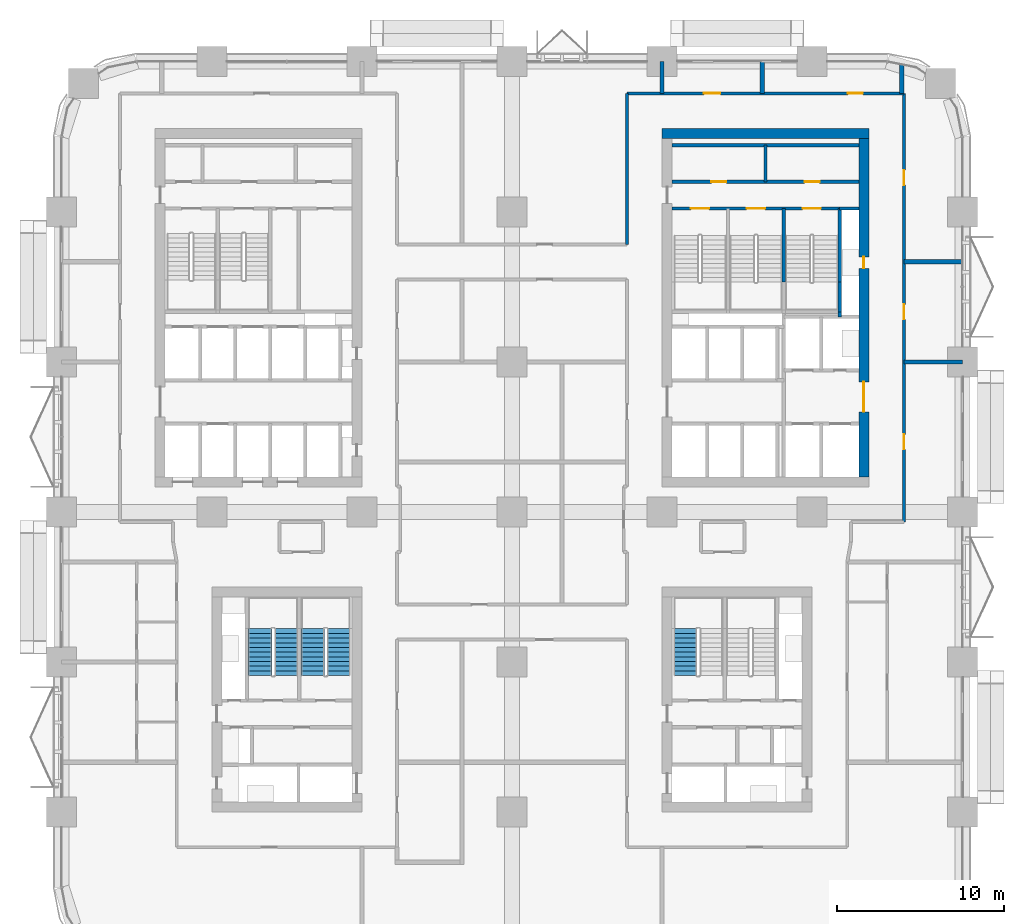
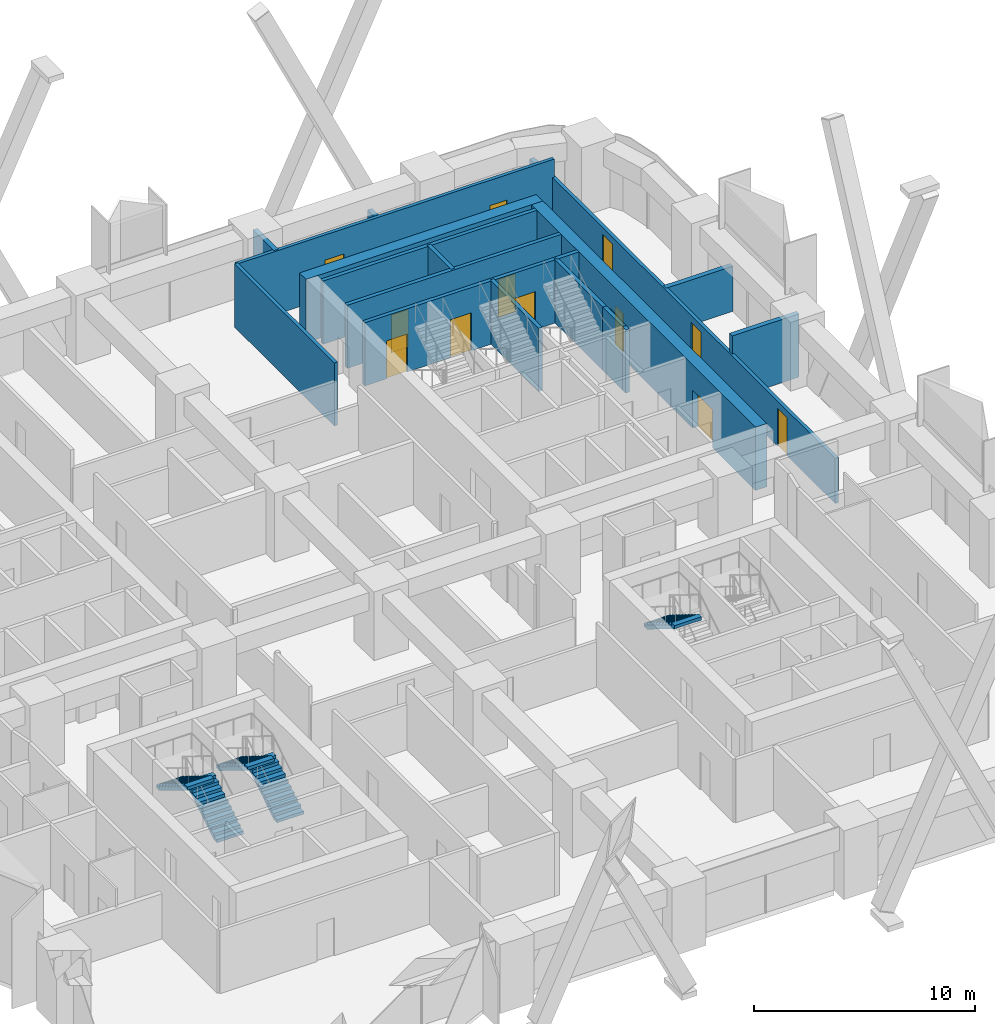
# One storey, part 19 of 23: 19 walls, 12 doors, 5 stair flights, 12 openings, 3 elements without a shape of their own.
"""IFC4 building model written with IfcOpenShell, lengths in metres."""

from ifc_helpers import new_model, si_unit, direction, frame, frame_2d, origin, place, context, subcontext, project, spatial, polyline, rectangle, outline, extrude, material, layer, layer_set, type_object, element, fill, aggregate, save


model = new_model("IFC4")

# Units and contexts
model_context = context("Model", 3, precision=1e-05, world=origin(), true_north=direction((0.0, 1.0)))
body_context = subcontext(model_context, "Body", "Model", "MODEL_VIEW")
ifc_project = project(units=[si_unit("LENGTHUNIT", "METRE"), si_unit("AREAUNIT", "SQUARE_METRE"), si_unit("VOLUMEUNIT", "CUBIC_METRE"), si_unit("PLANEANGLEUNIT", "RADIAN"), si_unit("MASSUNIT", "GRAM", prefix="KILO")], contexts=[model_context])

# Site, building, storey
site_placement = place(None, origin())
site = spatial("IfcSite", under=ifc_project, at=site_placement, CompositionType="ELEMENT")
building_placement = place(site_placement, origin())
building = spatial("IfcBuilding", under=site, at=building_placement, Name="Tessera Arch", CompositionType="ELEMENT")
storey_placement = place(building_placement, frame((0.0, 0.0, 46.199951171875)))
storey = spatial("IfcBuildingStorey", under=building, at=storey_placement, Name="L09", CompositionType="ELEMENT", Elevation=46.199951171875)

# Wall
ifc_material_1 = material(Name="Gypsum board on steel stud", Category="steel")
ifc_layer_1 = layer(ifc_material_1, 0.125)
ifc_layer_set_1 = layer_set([ifc_layer_1], Name="Core partition 125 EI 60")
wall_type_1 = type_object("IfcWallType", Name="Core partition 125 EI 60", PredefinedType="PARTITIONING", material=ifc_layer_set_1)
wall_1_placement = place(storey_placement, frame((42.199951171875, 46.800048828125, 0.0), z_axis=(0.0, 0.0, 1.0), x_axis=(0.0, 1.0, 0.0)))
element("IfcWall", 1, at=wall_1_placement, inside=storey, type_object=wall_type_1, Name="L09 C1 partition wall 7", PredefinedType="PARTITIONING", context=body_context, shape_type="SweptSolid", body=[
    extrude(rectangle(XDim=2.199951171875, YDim=0.199951171875, at=frame_2d((1.10009765625, 0.0))), origin(), (0.0, 0.0, 1.0), 3.5),
])

# Wall, openings, doors
wall_2_placement = place(storey_placement, frame((36.60009765625, 46.800048828125, 0.0), z_axis=(0.0, 0.0, 1.0), x_axis=(1.0, 0.0, 0.0)))
wall_2 = element("IfcWall", 2, at=wall_2_placement, inside=storey, type_object=wall_type_1, Name="L09 C1 partition wall 31", PredefinedType="PARTITIONING", context=body_context, shape_type="SweptSolid", body=[
    extrude(rectangle(XDim=11.199951171875, YDim=0.199951171875, at=frame_2d((5.60009765625, 0.0))), origin(), (0.0, 0.0, 1.0), 3.5),
])
opening_1_placement = place(wall_2_placement, frame((2.35009765625, 0.0, 0.0)))
opening_1 = element("IfcOpeningElement", 3, at=opening_1_placement, cuts=wall_2, Name="Opening L09-C12", PredefinedType="OPENING", context=body_context, shape_type="SweptSolid", body=[
    extrude(rectangle(XDim=0.89990234375, YDim=2.10009765625, at=frame_2d((0.449951171875, 1.050048828125))), frame((0.0, 0.10986328125, 0.0), z_axis=(0.0, -1.0, 0.0), x_axis=(1.0, 0.0, 0.0)), (0.0, 0.0, 1.0), 0.219970703125),
])
opening_2_placement = place(wall_2_placement, frame((7.949951171875, 0.0, 0.0)))
opening_2 = element("IfcOpeningElement", 4, at=opening_2_placement, cuts=wall_2, Name="Opening L09-C13", PredefinedType="OPENING", context=body_context, shape_type="SweptSolid", body=[
    extrude(rectangle(XDim=0.89990234375, YDim=2.10009765625, at=frame_2d((0.449951171875, 1.050048828125))), frame((0.0, 0.10986328125, 0.0), z_axis=(0.0, -1.0, 0.0), x_axis=(1.0, 0.0, 0.0)), (0.0, 0.0, 1.0), 0.219970703125),
])
ifc_material_2 = material(Name="Steel door leaf", Category="steel")
door_type_1 = type_object("IfcDoorType", Name="Store door FD30S 900 x 2100", OperationType="SINGLE_SWING_LEFT", PredefinedType="DOOR", material=ifc_material_2)
door_1_placement = place(opening_1_placement, origin())
door_1 = element("IfcDoor", 5, at=door_1_placement, inside=storey, type_object=door_type_1, Name="L09 C1 door 12 C12 type D09", OperationType="SINGLE_SWING_LEFT", OverallHeight=2.10009765625, OverallWidth=0.89990234375, PredefinedType="DOOR", context=body_context, shape_type="SweptSolid", body=[
    extrude(rectangle(XDim=0.89990234375, YDim=2.10009765625, at=frame_2d((0.449951171875, 1.050048828125))), frame((0.0, 0.02490234375, 0.0), z_axis=(0.0, -1.0, 0.0), x_axis=(1.0, 0.0, 0.0)), (0.0, 0.0, 1.0), 0.050048828125),
])
fill(opening_1, door_1)
door_2_placement = place(opening_2_placement, origin())
door_2 = element("IfcDoor", 6, at=door_2_placement, inside=storey, type_object=door_type_1, Name="L09 C1 door 13 C13 type D09", OperationType="SINGLE_SWING_RIGHT", OverallHeight=2.10009765625, OverallWidth=0.89990234375, PredefinedType="DOOR", context=body_context, shape_type="SweptSolid", body=[
    extrude(rectangle(XDim=0.89990234375, YDim=2.10009765625, at=frame_2d((0.449951171875, 1.050048828125))), frame((0.0, 0.02490234375, 0.0), z_axis=(0.0, -1.0, 0.0), x_axis=(1.0, 0.0, 0.0)), (0.0, 0.0, 1.0), 0.050048828125),
])
fill(opening_2, door_2)

# Walls
wall_3_placement = place(storey_placement, frame((36.60009765625, 49.0, 0.0), z_axis=(0.0, 0.0, 1.0), x_axis=(1.0, 0.0, 0.0)))
element("IfcWall", 7, at=wall_3_placement, inside=storey, type_object=wall_type_1, Name="L09 C1 partition wall 32", PredefinedType="PARTITIONING", context=body_context, shape_type="SweptSolid", body=[
    extrude(rectangle(XDim=11.199951171875, YDim=0.199951171875, at=frame_2d((5.60009765625, 0.0))), origin(), (0.0, 0.0, 1.0), 3.5),
])
ifc_material_3 = material(Name="Concrete C70/85", Category="concrete")
ifc_layer_2 = layer(ifc_material_3, 0.60009765625)
ifc_layer_set_2 = layer_set([ifc_layer_2], Name="Core shell wall 600 C70-85")
wall_type_2 = type_object("IfcWallType", Name="Core shell wall 600 C70-85", PredefinedType="SHEAR", material=ifc_layer_set_2)
wall_4_placement = place(storey_placement, frame((36.0, 49.699951171875, 0.0), z_axis=(0.0, 0.0, 1.0), x_axis=(1.0, 0.0, 0.0)))
element("IfcWall", 8, at=wall_4_placement, inside=storey, type_object=wall_type_2, Name="L09 C1 core wall N", PredefinedType="SHEAR", context=body_context, shape_type="SweptSolid", body=[
    extrude(rectangle(XDim=12.39990234375, YDim=0.60009765625, at=frame_2d((6.199951171875, 0.0))), origin(), (0.0, 0.0, 1.0), 3.5),
])

# Wall, openings, doors
wall_5_placement = place(storey_placement, frame((48.10009765625, 29.10009765625, 0.0), z_axis=(0.0, 0.0, 1.0), x_axis=(0.0, 1.0, 0.0)))
wall_5 = element("IfcWall", 9, at=wall_5_placement, inside=storey, type_object=wall_type_2, Name="L09 C1 core wall E", PredefinedType="SHEAR", context=body_context, shape_type="SweptSolid", body=[
    extrude(rectangle(XDim=20.2998046875, YDim=0.60009765625, at=frame_2d((10.14990234375, 0.0))), origin(), (0.0, 0.0, 1.0), 3.5),
])
opening_3_placement = place(wall_5_placement, frame((12.5, 0.0, 0.0)))
opening_3 = element("IfcOpeningElement", 10, at=opening_3_placement, cuts=wall_5, Name="Opening L09-C08", PredefinedType="OPENING", context=body_context, shape_type="SweptSolid", body=[
    extrude(rectangle(XDim=0.699951171875, YDim=2.10009765625, at=frame_2d((0.35009765625, 1.050048828125))), frame((0.0, 0.31005859375, 0.0), z_axis=(0.0, -1.0, 0.0), x_axis=(1.0, 0.0, 0.0)), (0.0, 0.0, 1.0), 0.6201171875),
])
opening_4_placement = place(wall_5_placement, frame((3.89990234375, 0.0, 0.0)))
opening_4 = element("IfcOpeningElement", 11, at=opening_4_placement, cuts=wall_5, Name="Opening L09-C09", PredefinedType="OPENING", context=body_context, shape_type="SweptSolid", body=[
    extrude(rectangle(XDim=1.800048828125, YDim=2.10009765625, at=frame_2d((0.89990234375, 1.050048828125))), frame((0.0, 0.31005859375, 0.0), z_axis=(0.0, -1.0, 0.0), x_axis=(1.0, 0.0, 0.0)), (0.0, 0.0, 1.0), 0.6201171875),
])
ifc_material_4 = material(Name="Glazed steel door leaf", Category="steel")
door_type_2 = type_object("IfcDoorType", Name="Lobby double door FD60 1800 x 2100", OperationType="DOUBLE_DOOR_SINGLE_SWING", PredefinedType="DOOR", material=ifc_material_4)
door_3_placement = place(opening_4_placement, origin())
door_3 = element("IfcDoor", 12, at=door_3_placement, inside=storey, type_object=door_type_2, Name="L09 C1 door 9 C09 type D19", OperationType="DOUBLE_DOOR_SINGLE_SWING", OverallHeight=2.10009765625, OverallWidth=1.800048828125, PredefinedType="DOOR", context=body_context, shape_type="SweptSolid", body=[
    extrude(rectangle(XDim=1.800048828125, YDim=2.10009765625, at=frame_2d((0.89990234375, 1.050048828125))), frame((0.0, 0.02490234375, 0.0), z_axis=(0.0, -1.0, 0.0), x_axis=(1.0, 0.0, 0.0)), (0.0, 0.0, 1.0), 0.050048828125),
])
fill(opening_4, door_3)
ifc_material_5 = material(Name="Steel door leaf", Category="steel")
door_type_3 = type_object("IfcDoorType", Name="Service shaft door FD60 700 x 2100", OperationType="SINGLE_SWING_LEFT", PredefinedType="DOOR", material=ifc_material_5)
door_4_placement = place(opening_3_placement, origin())
door_4 = element("IfcDoor", 13, at=door_4_placement, inside=storey, type_object=door_type_3, Name="L09 C1 door 8 C08 type D07", OperationType="SINGLE_SWING_RIGHT", OverallHeight=2.10009765625, OverallWidth=0.699951171875, PredefinedType="DOOR", context=body_context, shape_type="SweptSolid", body=[
    extrude(rectangle(XDim=0.699951171875, YDim=2.10009765625, at=frame_2d((0.35009765625, 1.050048828125))), frame((0.0, 0.02490234375, 0.0), z_axis=(0.0, -1.0, 0.0), x_axis=(1.0, 0.0, 0.0)), (0.0, 0.0, 1.0), 0.050048828125),
])
fill(opening_3, door_4)

ifc_material_6 = material(Name="Gypsum board on deep steel stud with mineral wool", Category="steel")
ifc_layer_3 = layer(ifc_material_6, 0.175048828125)
ifc_layer_set_3 = layer_set([ifc_layer_3], Name="Corridor wall 175 EI 60")
wall_type_3 = type_object("IfcWallType", Name="Corridor wall 175 EI 60", PredefinedType="PARTITIONING", material=ifc_layer_set_3)
wall_6_placement = place(storey_placement, frame((33.89990234375, 52.10009765625, 0.0), z_axis=(0.0, 0.0, 1.0), x_axis=(1.0, 0.0, 0.0)))
wall_6 = element("IfcWall", 14, at=wall_6_placement, inside=storey, type_object=wall_type_3, Name="L09 partition 18", PredefinedType="PARTITIONING", context=body_context, shape_type="SweptSolid", body=[
    extrude(rectangle(XDim=16.60009765625, YDim=0.175048828125, at=frame_2d((8.300048828125, 0.0))), origin(), (0.0, 0.0, 1.0), 3.5),
])
opening_5_placement = place(wall_6_placement, frame((4.60009765625, 0.0, 0.0)))
opening_5 = element("IfcOpeningElement", 15, at=opening_5_placement, cuts=wall_6, Name="Opening L09-D033", PredefinedType="OPENING", context=body_context, shape_type="SweptSolid", body=[
    extrude(rectangle(XDim=1.0, YDim=2.10009765625, at=frame_2d((0.5, 1.050048828125))), frame((0.0, 0.097412109375, 0.0), z_axis=(0.0, -1.0, 0.0), x_axis=(1.0, 0.0, 0.0)), (0.0, 0.0, 1.0), 0.195068359375),
])
opening_6_placement = place(wall_6_placement, frame((13.231689453125, 0.0, 0.0)))
opening_6 = element("IfcOpeningElement", 16, at=opening_6_placement, cuts=wall_6, Name="Opening L09-D034", PredefinedType="OPENING", context=body_context, shape_type="SweptSolid", body=[
    extrude(rectangle(XDim=0.89990234375, YDim=2.10009765625, at=frame_2d((0.449951171875, 1.050048828125))), frame((0.0, 0.097412109375, 0.0), z_axis=(0.0, -1.0, 0.0), x_axis=(1.0, 0.0, 0.0)), (0.0, 0.0, 1.0), 0.195068359375),
])
ifc_material_7 = material(Name="Fire-rated door leaf")
door_type_4 = type_object("IfcDoorType", Name="Entrance door FD30S 1000 x 2100", OperationType="SINGLE_SWING_LEFT", PredefinedType="DOOR", material=ifc_material_7)
door_5_placement = place(opening_5_placement, origin())
door_5 = element("IfcDoor", 17, at=door_5_placement, inside=storey, type_object=door_type_4, Name="L09 door D033 type D03", OperationType="SINGLE_SWING_LEFT", OverallHeight=2.10009765625, OverallWidth=1.0, PredefinedType="DOOR", context=body_context, shape_type="SweptSolid", body=[
    extrude(rectangle(XDim=1.0, YDim=2.10009765625, at=frame_2d((0.5, 1.050048828125))), frame((0.0, 0.02490234375, 0.0), z_axis=(0.0, -1.0, 0.0), x_axis=(1.0, 0.0, 0.0)), (0.0, 0.0, 1.0), 0.050048828125),
])
fill(opening_5, door_5)
ifc_material_8 = material(Name="Timber door leaf", Category="wood")
door_type_5 = type_object("IfcDoorType", Name="Room door 900 x 2100", OperationType="SINGLE_SWING_LEFT", PredefinedType="DOOR", material=ifc_material_8)
door_6_placement = place(opening_6_placement, origin())
door_6 = element("IfcDoor", 18, at=door_6_placement, inside=storey, type_object=door_type_5, Name="L09 door D034 type D01", OperationType="SINGLE_SWING_RIGHT", OverallHeight=2.10009765625, OverallWidth=0.89990234375, PredefinedType="DOOR", context=body_context, shape_type="SweptSolid", body=[
    extrude(rectangle(XDim=0.89990234375, YDim=2.10009765625, at=frame_2d((0.449951171875, 1.050048828125))), frame((0.0, 0.02490234375, 0.0), z_axis=(0.0, -1.0, 0.0), x_axis=(1.0, 0.0, 0.0)), (0.0, 0.0, 1.0), 0.050048828125),
])
fill(opening_6, door_6)

# Wall
wall_7_placement = place(storey_placement, frame((33.89990234375, 43.050048828125, 0.0), z_axis=(0.0, 0.0, 1.0), x_axis=(0.0, 1.0, 0.0)))
element("IfcWall", 19, at=wall_7_placement, inside=storey, type_object=wall_type_3, Name="L09 partition 33", PredefinedType="PARTITIONING", context=body_context, shape_type="SweptSolid", body=[
    extrude(rectangle(XDim=9.050048828125, YDim=0.175048828125, at=frame_2d((4.52490234375, 0.0))), origin(), (0.0, 0.0, 1.0), 3.5),
])

# Wall, openings, doors
wall_8_placement = place(storey_placement, frame((50.5, 26.39990234375, 0.0), z_axis=(0.0, 0.0, 1.0), x_axis=(0.0, 1.0, 0.0)))
wall_8 = element("IfcWall", 20, at=wall_8_placement, inside=storey, type_object=wall_type_3, Name="L09 partition 38", PredefinedType="PARTITIONING", context=body_context, shape_type="SweptSolid", body=[
    extrude(rectangle(XDim=25.7001953125, YDim=0.175048828125, at=frame_2d((12.85009765625, 0.0))), origin(), (0.0, 0.0, 1.0), 2.5),
])
opening_7_placement = place(wall_8_placement, frame((4.35009765625, 0.0, 0.0)))
opening_7 = element("IfcOpeningElement", 21, at=opening_7_placement, cuts=wall_8, Name="Opening L09-D021", PredefinedType="OPENING", context=body_context, shape_type="SweptSolid", body=[
    extrude(rectangle(XDim=0.89990234375, YDim=2.10009765625, at=frame_2d((0.449951171875, 1.050048828125))), frame((0.0, 0.097412109375, 0.0), z_axis=(0.0, -1.0, 0.0), x_axis=(1.0, 0.0, 0.0)), (0.0, 0.0, 1.0), 0.195068359375),
])
opening_8_placement = place(wall_8_placement, frame((12.14990234375, 0.0, 0.0)))
opening_8 = element("IfcOpeningElement", 22, at=opening_8_placement, cuts=wall_8, Name="Opening L09-D027", PredefinedType="OPENING", context=body_context, shape_type="SweptSolid", body=[
    extrude(rectangle(XDim=0.89990234375, YDim=2.10009765625, at=frame_2d((0.449951171875, 1.050048828125))), frame((0.0, 0.097412109375, 0.0), z_axis=(0.0, -1.0, 0.0), x_axis=(1.0, 0.0, 0.0)), (0.0, 0.0, 1.0), 0.195068359375),
])
opening_9_placement = place(wall_8_placement, frame((20.199951171875, 0.0, 0.0)))
opening_9 = element("IfcOpeningElement", 23, at=opening_9_placement, cuts=wall_8, Name="Opening L09-D028", PredefinedType="OPENING", context=body_context, shape_type="SweptSolid", body=[
    extrude(rectangle(XDim=0.89990234375, YDim=2.10009765625, at=frame_2d((0.449951171875, 1.050048828125))), frame((0.0, 0.097412109375, 0.0), z_axis=(0.0, -1.0, 0.0), x_axis=(1.0, 0.0, 0.0)), (0.0, 0.0, 1.0), 0.195068359375),
])
door_7_placement = place(opening_7_placement, origin())
door_7 = element("IfcDoor", 24, at=door_7_placement, inside=storey, type_object=door_type_5, Name="L09 door D021 type D01", OperationType="SINGLE_SWING_RIGHT", OverallHeight=2.10009765625, OverallWidth=0.89990234375, PredefinedType="DOOR", context=body_context, shape_type="SweptSolid", body=[
    extrude(rectangle(XDim=0.89990234375, YDim=2.10009765625, at=frame_2d((0.449951171875, 1.050048828125))), frame((0.0, 0.02490234375, 0.0), z_axis=(0.0, -1.0, 0.0), x_axis=(1.0, 0.0, 0.0)), (0.0, 0.0, 1.0), 0.050048828125),
])
fill(opening_7, door_7)
door_8_placement = place(opening_8_placement, origin())
door_8 = element("IfcDoor", 25, at=door_8_placement, inside=storey, type_object=door_type_5, Name="L09 door D027 type D01", OperationType="SINGLE_SWING_RIGHT", OverallHeight=2.10009765625, OverallWidth=0.89990234375, PredefinedType="DOOR", context=body_context, shape_type="SweptSolid", body=[
    extrude(rectangle(XDim=0.89990234375, YDim=2.10009765625, at=frame_2d((0.449951171875, 1.050048828125))), frame((0.0, 0.02490234375, 0.0), z_axis=(0.0, -1.0, 0.0), x_axis=(1.0, 0.0, 0.0)), (0.0, 0.0, 1.0), 0.050048828125),
])
fill(opening_8, door_8)
door_9_placement = place(opening_9_placement, origin())
door_9 = element("IfcDoor", 26, at=door_9_placement, inside=storey, type_object=door_type_5, Name="L09 door D028 type D01", OperationType="SINGLE_SWING_LEFT", OverallHeight=2.10009765625, OverallWidth=0.89990234375, PredefinedType="DOOR", context=body_context, shape_type="SweptSolid", body=[
    extrude(rectangle(XDim=0.89990234375, YDim=2.10009765625, at=frame_2d((0.449951171875, 1.050048828125))), frame((0.0, 0.02490234375, 0.0), z_axis=(0.0, -1.0, 0.0), x_axis=(1.0, 0.0, 0.0)), (0.0, 0.0, 1.0), 0.050048828125),
])
fill(opening_9, door_9)

# Walls
ifc_material_9 = material(Name="Double gypsum board on twin steel stud with acoustic mineral wool", Category="steel")
ifc_layer_4 = layer(ifc_material_9, 0.25)
ifc_layer_set_4 = layer_set([ifc_layer_4], Name="Party wall 250 EI 60")
wall_type_4 = type_object("IfcWallType", Name="Party wall 250 EI 60", PredefinedType="PARTITIONING", material=ifc_layer_set_4)
wall_9_placement = place(storey_placement, frame((50.5, 36.0, 0.0), z_axis=(0.0, 0.0, 1.0), x_axis=(1.0, 0.0, 0.0)))
element("IfcWall", 27, at=wall_9_placement, inside=storey, type_object=wall_type_4, Name="L09 partition 52", PredefinedType="PARTITIONING", context=body_context, shape_type="SweptSolid", body=[
    extrude(rectangle(XDim=3.5, YDim=0.25, at=frame_2d((1.75, 0.0))), origin(), (0.0, 0.0, 1.0), 3.5),
])
wall_10_placement = place(storey_placement, frame((50.5, 42.0, 0.0), z_axis=(0.0, 0.0, 1.0), x_axis=(1.0, 0.0, 0.0)))
element("IfcWall", 28, at=wall_10_placement, inside=storey, type_object=wall_type_4, Name="L09 partition 54", PredefinedType="PARTITIONING", context=body_context, shape_type="SweptSolid", body=[
    extrude(rectangle(XDim=3.5, YDim=0.25, at=frame_2d((1.75, 0.0))), origin(), (0.0, 0.0, 1.0), 2.5),
])
wall_11_placement = place(storey_placement, frame((36.0, 52.10009765625, 0.0), z_axis=(0.0, 0.0, 1.0), x_axis=(0.0, 1.0, 0.0)))
element("IfcWall", 29, at=wall_11_placement, inside=storey, type_object=wall_type_4, Name="L09 partition 64", PredefinedType="PARTITIONING", context=body_context, shape_type="SweptSolid", body=[
    extrude(rectangle(XDim=1.89990234375, YDim=0.25, at=frame_2d((0.949951171875, 0.0))), origin(), (0.0, 0.0, 1.0), 3.5),
])
wall_12_placement = place(storey_placement, frame((42.0, 52.10009765625, 0.0), z_axis=(0.0, 0.0, 1.0), x_axis=(0.0, 1.0, 0.0)))
element("IfcWall", 30, at=wall_12_placement, inside=storey, type_object=wall_type_4, Name="L09 partition 65", PredefinedType="PARTITIONING", context=body_context, shape_type="SweptSolid", body=[
    extrude(rectangle(XDim=1.89990234375, YDim=0.25, at=frame_2d((0.949951171875, 0.0))), origin(), (0.0, 0.0, 1.0), 2.5),
])
wall_13_placement = place(storey_placement, frame((50.3740234375, 52.10009765625, 0.0), z_axis=(0.0, 0.0, 1.0), x_axis=(0.0, 1.0, 0.0)))
element("IfcWall", 31, at=wall_13_placement, inside=storey, type_object=wall_type_4, Name="L09 partition 66", PredefinedType="PARTITIONING", context=body_context, shape_type="SweptSolid", body=[
    extrude(rectangle(XDim=1.72607421875, YDim=0.25, at=frame_2d((0.863037109375, 0.0))), origin(), (0.0, 0.0, 1.0), 2.5),
])
ifc_material_10 = material(Name="Concrete C40/50", Category="concrete")
ifc_layer_5 = layer(ifc_material_10, 0.199951171875)
ifc_layer_set_5 = layer_set([ifc_layer_5], Name="Shaft wall 200 EI 120")
wall_type_5 = type_object("IfcWallType", Name="Shaft wall 200 EI 120", PredefinedType="SOLIDWALL", material=ifc_layer_set_5)
wall_14_placement = place(storey_placement, frame((46.64990234375, 38.699951171875, 0.0), z_axis=(0.0, 0.0, 1.0), x_axis=(0.0, 1.0, 0.0)))
element("IfcWall", 32, at=wall_14_placement, inside=storey, type_object=wall_type_5, Name="L09 C1 shaft wall 15", PredefinedType="SOLIDWALL", context=body_context, shape_type="SweptSolid", body=[
    extrude(rectangle(XDim=0.300048828125, YDim=0.199951171875, at=frame_2d((0.14990234375, 0.0))), origin(), (0.0, 0.0, 1.0), 3.5),
])
wall_15_placement = place(storey_placement, frame((46.64990234375, 45.199951171875, 0.0), z_axis=(0.0, 0.0, 1.0), x_axis=(1.0, 0.0, 0.0)))
element("IfcWall", 33, at=wall_15_placement, inside=storey, type_object=wall_type_5, Name="L09 C1 shaft wall 29", PredefinedType="SOLIDWALL", context=body_context, shape_type="SweptSolid", body=[
    extrude(rectangle(XDim=1.150146484375, YDim=0.199951171875, at=frame_2d((0.5751953125, 0.0))), origin(), (0.0, 0.0, 1.0), 3.5),
])
ifc_material_11 = material(Name="Concrete C40/50", Category="concrete")
ifc_layer_6 = layer(ifc_material_11, 0.199951171875)
ifc_layer_set_6 = layer_set([ifc_layer_6], Name="Stair well wall 200 REI 180")
wall_type_6 = type_object("IfcWallType", Name="Stair well wall 200 REI 180", PredefinedType="SOLIDWALL", material=ifc_layer_set_6)
wall_16_placement = place(storey_placement, frame((43.300048828125, 40.780029296875, 0.0), z_axis=(0.0, 0.0, 1.0), x_axis=(0.0, 1.0, 0.0)))
element("IfcWall", 34, at=wall_16_placement, inside=storey, type_object=wall_type_6, Name="L09 C1 shaft wall 12", PredefinedType="SOLIDWALL", context=body_context, shape_type="SweptSolid", body=[
    extrude(rectangle(XDim=4.419921875, YDim=0.199951171875, at=frame_2d((2.2099609375, 0.0))), origin(), (0.0, 0.0, 1.0), 3.5),
])
wall_17_placement = place(storey_placement, frame((46.64990234375, 39.0, 0.0), z_axis=(0.0, 0.0, 1.0), x_axis=(0.0, 1.0, 0.0)))
element("IfcWall", 35, at=wall_17_placement, inside=storey, type_object=wall_type_6, Name="L09 C1 shaft wall 16", PredefinedType="SOLIDWALL", context=body_context, shape_type="SweptSolid", body=[
    extrude(rectangle(XDim=1.780029296875, YDim=0.199951171875, at=frame_2d((0.89013671875, 0.0))), origin(), (0.0, 0.0, 1.0), 3.5),
])
wall_18_placement = place(storey_placement, frame((46.64990234375, 40.780029296875, 0.0), z_axis=(0.0, 0.0, 1.0), x_axis=(0.0, 1.0, 0.0)))
element("IfcWall", 36, at=wall_18_placement, inside=storey, type_object=wall_type_6, Name="L09 C1 shaft wall 17", PredefinedType="SOLIDWALL", context=body_context, shape_type="SweptSolid", body=[
    extrude(rectangle(XDim=4.419921875, YDim=0.199951171875, at=frame_2d((2.2099609375, 0.0))), origin(), (0.0, 0.0, 1.0), 3.5),
])

# Wall, openings, doors
wall_19_placement = place(storey_placement, frame((36.60009765625, 45.199951171875, 0.0), z_axis=(0.0, 0.0, 1.0), x_axis=(1.0, 0.0, 0.0)))
wall_19 = element("IfcWall", 37, at=wall_19_placement, inside=storey, type_object=wall_type_6, Name="L09 C1 shaft wall 30", PredefinedType="SOLIDWALL", context=body_context, shape_type="SweptSolid", body=[
    extrude(rectangle(XDim=10.0498046875, YDim=0.199951171875, at=frame_2d((5.02490234375, 0.0))), origin(), (0.0, 0.0, 1.0), 3.5),
])
opening_10_placement = place(wall_19_placement, frame((1.125, 0.0, 0.0)))
opening_10 = element("IfcOpeningElement", 38, at=opening_10_placement, cuts=wall_19, Name="Opening L09-C05", PredefinedType="OPENING", context=body_context, shape_type="SweptSolid", body=[
    extrude(rectangle(XDim=1.10009765625, YDim=2.10009765625, at=frame_2d((0.550048828125, 1.050048828125))), frame((0.0, 0.10986328125, 0.0), z_axis=(0.0, -1.0, 0.0), x_axis=(1.0, 0.0, 0.0)), (0.0, 0.0, 1.0), 0.219970703125),
])
opening_11_placement = place(wall_19_placement, frame((4.47509765625, 0.0, 0.0)))
opening_11 = element("IfcOpeningElement", 39, at=opening_11_placement, cuts=wall_19, Name="Opening L09-C06", PredefinedType="OPENING", context=body_context, shape_type="SweptSolid", body=[
    extrude(rectangle(XDim=1.10009765625, YDim=2.10009765625, at=frame_2d((0.550048828125, 1.050048828125))), frame((0.0, 0.10986328125, 0.0), z_axis=(0.0, -1.0, 0.0), x_axis=(1.0, 0.0, 0.0)), (0.0, 0.0, 1.0), 0.219970703125),
])
opening_12_placement = place(wall_19_placement, frame((7.824951171875, 0.0, 0.0)))
opening_12 = element("IfcOpeningElement", 40, at=opening_12_placement, cuts=wall_19, Name="Opening L09-C07", PredefinedType="OPENING", context=body_context, shape_type="SweptSolid", body=[
    extrude(rectangle(XDim=1.10009765625, YDim=2.10009765625, at=frame_2d((0.550048828125, 1.050048828125))), frame((0.0, 0.10986328125, 0.0), z_axis=(0.0, -1.0, 0.0), x_axis=(1.0, 0.0, 0.0)), (0.0, 0.0, 1.0), 0.219970703125),
])
ifc_material_12 = material(Name="Steel door leaf", Category="steel")
door_type_6 = type_object("IfcDoorType", Name="Stair door FD60 1100 x 2100", OperationType="SINGLE_SWING_LEFT", PredefinedType="DOOR", material=ifc_material_12)
door_10_placement = place(opening_10_placement, origin())
door_10 = element("IfcDoor", 41, at=door_10_placement, inside=storey, type_object=door_type_6, Name="L09 C1 door 5 C05 type D05", OperationType="SINGLE_SWING_LEFT", OverallHeight=2.10009765625, OverallWidth=1.10009765625, PredefinedType="DOOR", context=body_context, shape_type="SweptSolid", body=[
    extrude(rectangle(XDim=1.10009765625, YDim=2.10009765625, at=frame_2d((0.550048828125, 1.050048828125))), frame((0.0, 0.02490234375, 0.0), z_axis=(0.0, -1.0, 0.0), x_axis=(1.0, 0.0, 0.0)), (0.0, 0.0, 1.0), 0.050048828125),
])
fill(opening_10, door_10)
door_11_placement = place(opening_11_placement, origin())
door_11 = element("IfcDoor", 42, at=door_11_placement, inside=storey, type_object=door_type_6, Name="L09 C1 door 6 C06 type D05", OperationType="SINGLE_SWING_RIGHT", OverallHeight=2.10009765625, OverallWidth=1.10009765625, PredefinedType="DOOR", context=body_context, shape_type="SweptSolid", body=[
    extrude(rectangle(XDim=1.10009765625, YDim=2.10009765625, at=frame_2d((0.550048828125, 1.050048828125))), frame((0.0, 0.02490234375, 0.0), z_axis=(0.0, -1.0, 0.0), x_axis=(1.0, 0.0, 0.0)), (0.0, 0.0, 1.0), 0.050048828125),
])
fill(opening_11, door_11)
door_12_placement = place(opening_12_placement, origin())
door_12 = element("IfcDoor", 43, at=door_12_placement, inside=storey, type_object=door_type_6, Name="L09 C1 door 7 C07 type D05", OperationType="SINGLE_SWING_RIGHT", OverallHeight=2.10009765625, OverallWidth=1.10009765625, PredefinedType="DOOR", context=body_context, shape_type="SweptSolid", body=[
    extrude(rectangle(XDim=1.10009765625, YDim=2.10009765625, at=frame_2d((0.550048828125, 1.050048828125))), frame((0.0, 0.02490234375, 0.0), z_axis=(0.0, -1.0, 0.0), x_axis=(1.0, 0.0, 0.0)), (0.0, 0.0, 1.0), 0.050048828125),
])
fill(opening_12, door_12)

# Stair, stair flight
ifc_material_13 = material(Name="Concrete C40/50", Category="concrete")
stair_type = type_object("IfcStairType", Name="Dogleg stair 1400", PredefinedType="HALF_TURN_STAIR", material=ifc_material_13)
stair_1_placement = place(storey_placement, origin())
stair_1 = element("IfcStair", 44, at=stair_1_placement, inside=storey, type_object=stair_type, Name="L09 S3a", PredefinedType="HALF_TURN_STAIR")
ifc_material_14 = material(Name="Concrete C40/50", Category="concrete")
stair_flight_type = type_object("IfcStairFlightType", Name="Stair flight 1400", PredefinedType="STRAIGHT", material=ifc_material_14)
stair_flight_1_placement = place(storey_placement, frame((37.39990234375, 20.0, 1.900146484375), z_axis=(0.0, 0.0, 1.0), x_axis=(0.0, -1.0, 0.0)))
stair_flight_1 = element("IfcStairFlight", 45, at=stair_flight_1_placement, type_object=stair_flight_type, Name="S3a flight 2", NumberOfRisers=11, NumberOfTreads=10, PredefinedType="STRAIGHT", RiserHeight=0.172727273, TreadLength=0.28, context=body_context, shape_type="SweptSolid", body=[
    extrude(outline(polyline([(0.0, 0.0), (0.0, 0.172607421875), (0.280029296875, 0.172607421875), (0.280029296875, 0.345458984375), (0.56005859375, 0.345458984375), (0.56005859375, 0.51806640625), (0.840087890625, 0.51806640625), (0.840087890625, 0.69091796875), (1.1201171875, 0.69091796875), (1.1201171875, 0.863525390625), (1.39990234375, 0.863525390625), (1.39990234375, 1.036376953125), (1.679931640625, 1.036376953125), (1.679931640625, 1.208984375), (1.9599609375, 1.208984375), (1.9599609375, 1.3818359375), (2.239990234375, 1.3818359375), (2.239990234375, 1.554443359375), (2.52001953125, 1.554443359375), (2.52001953125, 1.727294921875), (2.800048828125, 1.727294921875), (2.800048828125, 1.89990234375), (2.800048828125, 1.551025390625), (0.285400390625, 0.0), (0.0, 0.0)])), frame((0.0, 0.699951171875, 0.0), z_axis=(0.0, -1.0, 0.0), x_axis=(1.0, 0.0, 0.0)), (0.0, 0.0, 1.0), 1.39990234375),
])
aggregate(stair_1, [stair_flight_1])

# Stair, stair flights
stair_2_placement = place(storey_placement, origin())
stair_2 = element("IfcStair", 46, at=stair_2_placement, inside=storey, type_object=stair_type, Name="L09 S4a", PredefinedType="HALF_TURN_STAIR")
stair_flight_2_placement = place(storey_placement, frame((16.60009765625, 17.199951171875, 0.0), z_axis=(0.0, 0.0, 1.0), x_axis=(0.0, 1.0, 0.0)))
stair_flight_2 = element("IfcStairFlight", 47, at=stair_flight_2_placement, type_object=stair_flight_type, Name="S4a flight 1", NumberOfRisers=11, NumberOfTreads=10, PredefinedType="STRAIGHT", RiserHeight=0.172727273, TreadLength=0.28, context=body_context, shape_type="SweptSolid", body=[
    extrude(outline(polyline([(0.0, 0.0), (0.0, 0.172607421875), (0.280029296875, 0.172607421875), (0.280029296875, 0.345458984375), (0.56005859375, 0.345458984375), (0.56005859375, 0.51806640625), (0.840087890625, 0.51806640625), (0.840087890625, 0.69091796875), (1.1201171875, 0.69091796875), (1.1201171875, 0.863525390625), (1.39990234375, 0.863525390625), (1.39990234375, 1.036376953125), (1.679931640625, 1.036376953125), (1.679931640625, 1.208984375), (1.9599609375, 1.208984375), (1.9599609375, 1.3818359375), (2.239990234375, 1.3818359375), (2.239990234375, 1.554443359375), (2.52001953125, 1.554443359375), (2.52001953125, 1.727294921875), (2.800048828125, 1.727294921875), (2.800048828125, 1.89990234375), (2.800048828125, 1.551025390625), (0.285400390625, 0.0), (0.0, 0.0)])), frame((0.0, 0.699951171875, 0.0), z_axis=(0.0, -1.0, 0.0), x_axis=(1.0, 0.0, 0.0)), (0.0, 0.0, 1.0), 1.39990234375),
])
stair_flight_3_placement = place(storey_placement, frame((15.050048828125, 20.0, 1.900146484375), z_axis=(0.0, 0.0, 1.0), x_axis=(0.0, -1.0, 0.0)))
stair_flight_3 = element("IfcStairFlight", 48, at=stair_flight_3_placement, type_object=stair_flight_type, Name="S4a flight 2", NumberOfRisers=11, NumberOfTreads=10, PredefinedType="STRAIGHT", RiserHeight=0.172727273, TreadLength=0.28, context=body_context, shape_type="SweptSolid", body=[
    extrude(outline(polyline([(0.0, 0.0), (0.0, 0.172607421875), (0.280029296875, 0.172607421875), (0.280029296875, 0.345458984375), (0.56005859375, 0.345458984375), (0.56005859375, 0.51806640625), (0.840087890625, 0.51806640625), (0.840087890625, 0.69091796875), (1.1201171875, 0.69091796875), (1.1201171875, 0.863525390625), (1.39990234375, 0.863525390625), (1.39990234375, 1.036376953125), (1.679931640625, 1.036376953125), (1.679931640625, 1.208984375), (1.9599609375, 1.208984375), (1.9599609375, 1.3818359375), (2.239990234375, 1.3818359375), (2.239990234375, 1.554443359375), (2.52001953125, 1.554443359375), (2.52001953125, 1.727294921875), (2.800048828125, 1.727294921875), (2.800048828125, 1.89990234375), (2.800048828125, 1.551025390625), (0.285400390625, 0.0), (0.0, 0.0)])), frame((0.0, 0.699951171875, 0.0), z_axis=(0.0, -1.0, 0.0), x_axis=(1.0, 0.0, 0.0)), (0.0, 0.0, 1.0), 1.39990234375),
])
aggregate(stair_2, [stair_flight_2, stair_flight_3])

stair_3_placement = place(storey_placement, origin())
stair_3 = element("IfcStair", 49, at=stair_3_placement, inside=storey, type_object=stair_type, Name="L09 S4b", PredefinedType="HALF_TURN_STAIR")
stair_flight_4_placement = place(storey_placement, frame((13.449951171875, 17.199951171875, 0.0), z_axis=(0.0, 0.0, 1.0), x_axis=(0.0, 1.0, 0.0)))
stair_flight_4 = element("IfcStairFlight", 50, at=stair_flight_4_placement, type_object=stair_flight_type, Name="S4b flight 1", NumberOfRisers=11, NumberOfTreads=10, PredefinedType="STRAIGHT", RiserHeight=0.172727273, TreadLength=0.28, context=body_context, shape_type="SweptSolid", body=[
    extrude(outline(polyline([(0.0, 0.0), (0.0, 0.172607421875), (0.280029296875, 0.172607421875), (0.280029296875, 0.345458984375), (0.56005859375, 0.345458984375), (0.56005859375, 0.51806640625), (0.840087890625, 0.51806640625), (0.840087890625, 0.69091796875), (1.1201171875, 0.69091796875), (1.1201171875, 0.863525390625), (1.39990234375, 0.863525390625), (1.39990234375, 1.036376953125), (1.679931640625, 1.036376953125), (1.679931640625, 1.208984375), (1.9599609375, 1.208984375), (1.9599609375, 1.3818359375), (2.239990234375, 1.3818359375), (2.239990234375, 1.554443359375), (2.52001953125, 1.554443359375), (2.52001953125, 1.727294921875), (2.800048828125, 1.727294921875), (2.800048828125, 1.89990234375), (2.800048828125, 1.551025390625), (0.285400390625, 0.0), (0.0, 0.0)])), frame((0.0, 0.699951171875, 0.0), z_axis=(0.0, -1.0, 0.0), x_axis=(1.0, 0.0, 0.0)), (0.0, 0.0, 1.0), 1.39990234375),
])
stair_flight_5_placement = place(storey_placement, frame((11.89990234375, 20.0, 1.900146484375), z_axis=(0.0, 0.0, 1.0), x_axis=(0.0, -1.0, 0.0)))
stair_flight_5 = element("IfcStairFlight", 51, at=stair_flight_5_placement, type_object=stair_flight_type, Name="S4b flight 2", NumberOfRisers=11, NumberOfTreads=10, PredefinedType="STRAIGHT", RiserHeight=0.172727273, TreadLength=0.28, context=body_context, shape_type="SweptSolid", body=[
    extrude(outline(polyline([(0.0, 0.0), (0.0, 0.172607421875), (0.280029296875, 0.172607421875), (0.280029296875, 0.345458984375), (0.56005859375, 0.345458984375), (0.56005859375, 0.51806640625), (0.840087890625, 0.51806640625), (0.840087890625, 0.69091796875), (1.1201171875, 0.69091796875), (1.1201171875, 0.863525390625), (1.39990234375, 0.863525390625), (1.39990234375, 1.036376953125), (1.679931640625, 1.036376953125), (1.679931640625, 1.208984375), (1.9599609375, 1.208984375), (1.9599609375, 1.3818359375), (2.239990234375, 1.3818359375), (2.239990234375, 1.554443359375), (2.52001953125, 1.554443359375), (2.52001953125, 1.727294921875), (2.800048828125, 1.727294921875), (2.800048828125, 1.89990234375), (2.800048828125, 1.551025390625), (0.285400390625, 0.0), (0.0, 0.0)])), frame((0.0, 0.699951171875, 0.0), z_axis=(0.0, -1.0, 0.0), x_axis=(1.0, 0.0, 0.0)), (0.0, 0.0, 1.0), 1.39990234375),
])
aggregate(stair_3, [stair_flight_4, stair_flight_5])

save(model, "model.ifc")
